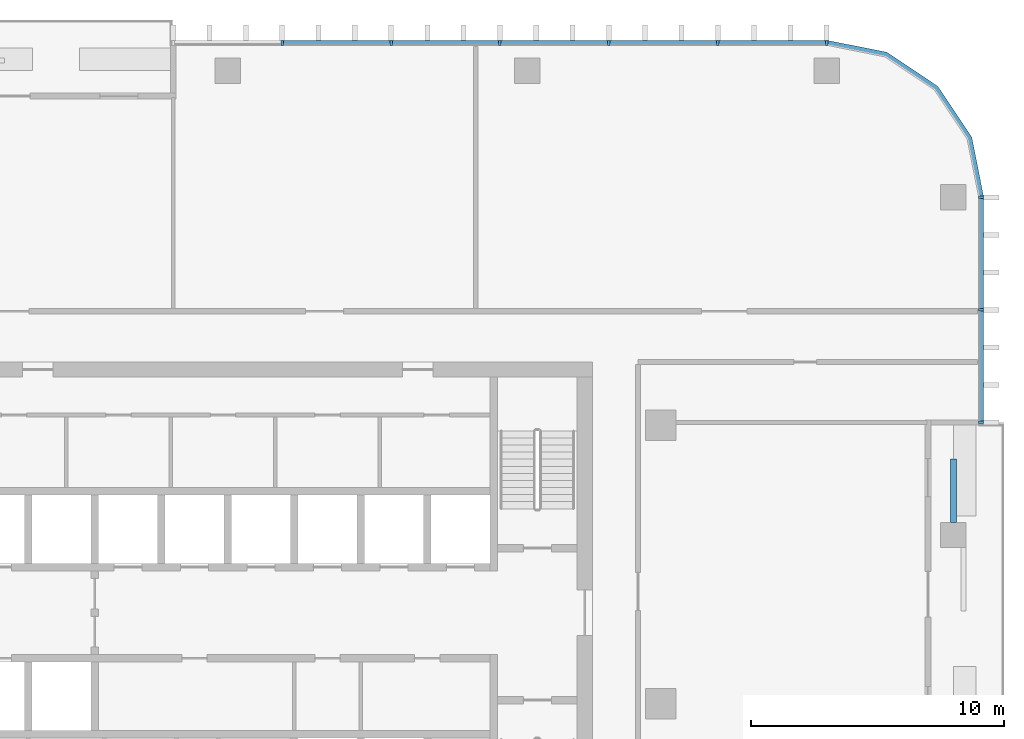
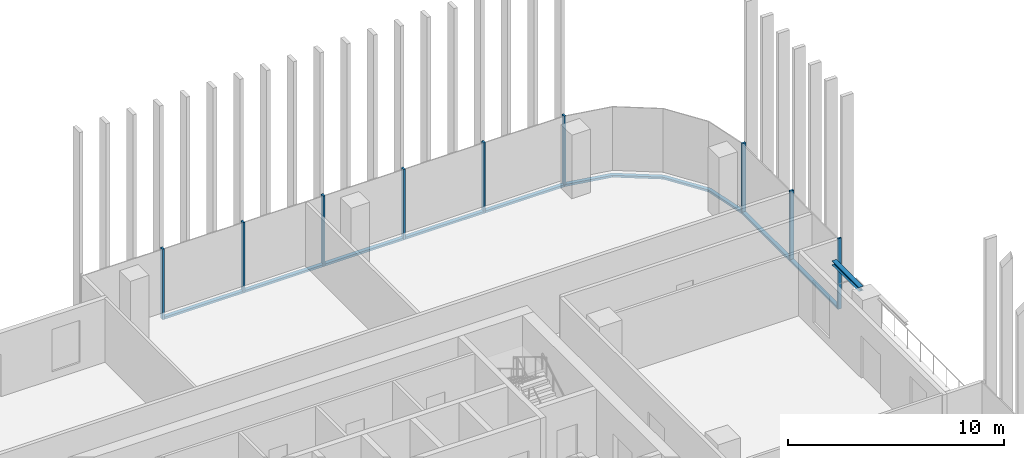
# One storey, part 5 of 16: 17 members, 1 beam, 3 elements without a shape of their own.
"""IFC4 building model written with IfcOpenShell, lengths in metres."""

from ifc_helpers import new_model, si_unit, direction, frame, origin, origin_2d, place, context, subcontext, project, spatial, polyline, rectangle, i_section, outline, extrude, material, material_profile, profile_set, type_object, element, aggregate, save


model = new_model("IFC4")

# Units and contexts
model_context = context("Model", 3, precision=1e-05, world=origin(), true_north=direction((0.0, 1.0)))
body_context = subcontext(model_context, "Body", "Model", "MODEL_VIEW")
ifc_project = project(units=[si_unit("LENGTHUNIT", "METRE"), si_unit("AREAUNIT", "SQUARE_METRE"), si_unit("VOLUMEUNIT", "CUBIC_METRE"), si_unit("PLANEANGLEUNIT", "RADIAN"), si_unit("MASSUNIT", "GRAM", prefix="KILO")], contexts=[model_context])

# Site, building, storey
site_placement = place(None, origin())
site = spatial("IfcSite", under=ifc_project, at=site_placement, CompositionType="ELEMENT")
building_placement = place(site_placement, origin())
building = spatial("IfcBuilding", under=site, at=building_placement, Name="Mopane Tessera Tower", CompositionType="ELEMENT")
storey_placement = place(building_placement, frame((0.0, 0.0, 291.39990234375)))
storey = spatial("IfcBuildingStorey", under=building, at=storey_placement, Name="L63", CompositionType="ELEMENT", Elevation=291.39990234375)

# Curtain wall, members
ifc_material_1 = material(Name="Aluminium frame", Category="aluminium")
curtain_wall_type = type_object("IfcCurtainWallType", Name="Unitised curtain wall", PredefinedType="NOTDEFINED", material=ifc_material_1)
curtain_wall_1_placement = place(storey_placement, origin())
curtain_wall_1 = element("IfcCurtainWall", 1, at=curtain_wall_1_placement, inside=storey, type_object=curtain_wall_type, Name="e:cw:L63:E:7", PredefinedType="NOTDEFINED")
ifc_material_2 = material(Name="Aluminium frame", Category="aluminium")
ifc_material_profile_1 = material_profile(ifc_material_2, rectangle(XDim=0.10009765625, YDim=0.199951171875, at=origin_2d()))
ifc_profile_set_1 = profile_set([ifc_material_profile_1], Name="Aluminium frame")
member_type_1 = type_object("IfcMemberType", Name="Aluminium mullion 100 x 200", PredefinedType="MULLION", material=ifc_profile_set_1)
member_1_placement = place(storey_placement, frame((29.75, 11.111083984375, -0.39990234375), z_axis=(0.0, 0.0, 1.0), x_axis=(0.0, 1.0, 0.0)))
member_1 = element("IfcMember", 2, at=member_1_placement, type_object=member_type_1, Name="e:cw:L63:E:7:mu7", PredefinedType="MULLION", context=body_context, shape_type="SweptSolid", body=[
    extrude(rectangle(XDim=0.10009765625, YDim=0.199951171875, at=origin_2d()), origin(), (0.0, 0.0, 1.0), 4.0),
])
member_2_placement = place(storey_placement, frame((29.75, 15.5556640625, -0.39990234375), z_axis=(0.0, 0.0, 1.0), x_axis=(0.0, 1.0, 0.0)))
member_2 = element("IfcMember", 3, at=member_2_placement, type_object=member_type_1, Name="e:cw:L63:E:7:mu8", PredefinedType="MULLION", context=body_context, shape_type="SweptSolid", body=[
    extrude(rectangle(XDim=0.10009765625, YDim=0.199951171875, at=origin_2d()), origin(), (0.0, 0.0, 1.0), 4.0),
])
member_3_placement = place(storey_placement, frame((29.75, 20.0, -0.39990234375), z_axis=(0.0, 0.0, 1.0), x_axis=(0.0, 1.0, 0.0)))
member_3 = element("IfcMember", 4, at=member_3_placement, type_object=member_type_1, Name="e:cw:L63:E:7:mu9", PredefinedType="MULLION", context=body_context, shape_type="SweptSolid", body=[
    extrude(rectangle(XDim=0.10009765625, YDim=0.199951171875, at=origin_2d()), origin(), (0.0, 0.0, 1.0), 4.0),
])

curtain_wall_2_placement = place(storey_placement, origin())
curtain_wall_2 = element("IfcCurtainWall", 5, at=curtain_wall_2_placement, inside=storey, type_object=curtain_wall_type, Name="e:cw:L63:N:0", PredefinedType="NOTDEFINED")
member_4_placement = place(storey_placement, frame((23.64990234375, 26.10009765625, -0.39990234375), z_axis=(0.0, 0.0, 1.0), x_axis=(-1.0, 0.0, 0.0)))
member_4 = element("IfcMember", 6, at=member_4_placement, type_object=member_type_1, Name="e:cw:L63:N:0:mu0", PredefinedType="MULLION", context=body_context, shape_type="SweptSolid", body=[
    extrude(rectangle(XDim=0.10009765625, YDim=0.199951171875, at=origin_2d()), origin(), (0.0, 0.0, 1.0), 4.0),
])
member_5_placement = place(storey_placement, frame((19.35009765625, 26.10009765625, -0.39990234375), z_axis=(0.0, 0.0, 1.0), x_axis=(-1.0, 0.0, 0.0)))
member_5 = element("IfcMember", 7, at=member_5_placement, type_object=member_type_1, Name="e:cw:L63:N:0:mu1", PredefinedType="MULLION", context=body_context, shape_type="SweptSolid", body=[
    extrude(rectangle(XDim=0.10009765625, YDim=0.199951171875, at=origin_2d()), origin(), (0.0, 0.0, 1.0), 4.0),
])
member_6_placement = place(storey_placement, frame((15.050048828125, 26.10009765625, -0.39990234375), z_axis=(0.0, 0.0, 1.0), x_axis=(-1.0, 0.0, 0.0)))
member_6 = element("IfcMember", 8, at=member_6_placement, type_object=member_type_1, Name="e:cw:L63:N:0:mu2", PredefinedType="MULLION", context=body_context, shape_type="SweptSolid", body=[
    extrude(rectangle(XDim=0.10009765625, YDim=0.199951171875, at=origin_2d()), origin(), (0.0, 0.0, 1.0), 4.0),
])
member_7_placement = place(storey_placement, frame((10.75, 26.10009765625, -0.39990234375), z_axis=(0.0, 0.0, 1.0), x_axis=(-1.0, 0.0, 0.0)))
member_7 = element("IfcMember", 9, at=member_7_placement, type_object=member_type_1, Name="e:cw:L63:N:0:mu3", PredefinedType="MULLION", context=body_context, shape_type="SweptSolid", body=[
    extrude(rectangle(XDim=0.10009765625, YDim=0.199951171875, at=origin_2d()), origin(), (0.0, 0.0, 1.0), 4.0),
])
member_8_placement = place(storey_placement, frame((6.449951171875, 26.10009765625, -0.39990234375), z_axis=(0.0, 0.0, 1.0), x_axis=(-1.0, 0.0, 0.0)))
member_8 = element("IfcMember", 10, at=member_8_placement, type_object=member_type_1, Name="e:cw:L63:N:0:mu4", PredefinedType="MULLION", context=body_context, shape_type="SweptSolid", body=[
    extrude(rectangle(XDim=0.10009765625, YDim=0.199951171875, at=origin_2d()), origin(), (0.0, 0.0, 1.0), 4.0),
])
member_9_placement = place(storey_placement, frame((2.14990234375, 26.10009765625, -0.39990234375), z_axis=(0.0, 0.0, 1.0), x_axis=(-1.0, 0.0, 0.0)))
member_9 = element("IfcMember", 11, at=member_9_placement, type_object=member_type_1, Name="e:cw:L63:N:0:mu5", PredefinedType="MULLION", context=body_context, shape_type="SweptSolid", body=[
    extrude(rectangle(XDim=0.10009765625, YDim=0.199951171875, at=origin_2d()), origin(), (0.0, 0.0, 1.0), 4.0),
])

# Member
ifc_material_3 = material(Name="Aluminium frame", Category="aluminium")
ifc_material_profile_2 = material_profile(ifc_material_3, rectangle(XDim=0.199951171875, YDim=0.1201171875, at=origin_2d()))
ifc_profile_set_2 = profile_set([ifc_material_profile_2], Name="Aluminium frame")
member_type_2 = type_object("IfcMemberType", Name="Aluminium transom 200 x 120", PredefinedType="USERDEFINED", material=ifc_profile_set_2)
member_10_placement = place(storey_placement, frame((29.75, 11.1611328125, -0.33984375), z_axis=(0.0, 1.0, 0.0), x_axis=(-1.0, 0.0, 0.0)))
member_10 = element("IfcMember", 12, at=member_10_placement, type_object=member_type_2, Name="e:cw:L63:E:7:tr7", ObjectType="TRANSOM", PredefinedType="USERDEFINED", context=body_context, shape_type="SweptSolid", body=[
    extrude(rectangle(XDim=0.199951171875, YDim=0.1201171875, at=origin_2d()), origin(), (0.0, 0.0, 1.0), 4.344482421875),
])

member_11_placement = place(storey_placement, frame((29.75, 15.60546875, -0.33984375), z_axis=(0.0, 1.0, 0.0), x_axis=(-1.0, 0.0, 0.0)))
member_11 = element("IfcMember", 13, at=member_11_placement, type_object=member_type_2, Name="e:cw:L63:E:7:tr8", ObjectType="TRANSOM", PredefinedType="USERDEFINED", context=body_context, shape_type="SweptSolid", body=[
    extrude(rectangle(XDim=0.199951171875, YDim=0.1201171875, at=origin_2d()), origin(), (0.0, 0.0, 1.0), 4.344482421875),
])

aggregate(curtain_wall_1, [member_1, member_2, member_3, member_10, member_11])

# Curtain wall, member
curtain_wall_3_placement = place(storey_placement, origin())
curtain_wall_3 = element("IfcCurtainWall", 14, at=curtain_wall_3_placement, inside=storey, type_object=curtain_wall_type, Name="e:cw:L63:CE", PredefinedType="NOTDEFINED")
member_12_placement = place(storey_placement, frame((0.0, 0.0, -0.39990234375)))
member_12 = element("IfcMember", 15, at=member_12_placement, type_object=member_type_2, Name="e:cw:L63:CE:tr", ObjectType="TRANSOM", PredefinedType="USERDEFINED", context=body_context, shape_type="SweptSolid", body=[
    extrude(outline(polyline([(29.64990234375, 20.0), (29.193359375, 22.296142578125), (27.892578125, 24.24267578125), (25.946044921875, 25.543212890625), (23.64990234375, 26.0), (23.64990234375, 26.199951171875), (26.022705078125, 25.72802734375), (28.0341796875, 24.384033203125), (29.378173828125, 22.37255859375), (29.85009765625, 20.0), (29.64990234375, 20.0)])), origin(), (0.0, 0.0, 1.0), 0.1201171875),
])
aggregate(curtain_wall_3, [member_12])

# Member
member_13_placement = place(storey_placement, frame((23.60009765625, 26.10009765625, -0.33984375), z_axis=(-1.0, 0.0, 0.0), x_axis=(0.0, -1.0, 0.0)))
member_13 = element("IfcMember", 16, at=member_13_placement, type_object=member_type_2, Name="e:cw:L63:N:0:tr0", ObjectType="TRANSOM", PredefinedType="USERDEFINED", context=body_context, shape_type="SweptSolid", body=[
    extrude(rectangle(XDim=0.199951171875, YDim=0.1201171875, at=origin_2d()), origin(), (0.0, 0.0, 1.0), 4.2001953125),
])

member_14_placement = place(storey_placement, frame((19.300048828125, 26.10009765625, -0.33984375), z_axis=(-1.0, 0.0, 0.0), x_axis=(0.0, -1.0, 0.0)))
member_14 = element("IfcMember", 17, at=member_14_placement, type_object=member_type_2, Name="e:cw:L63:N:0:tr1", ObjectType="TRANSOM", PredefinedType="USERDEFINED", context=body_context, shape_type="SweptSolid", body=[
    extrude(rectangle(XDim=0.199951171875, YDim=0.1201171875, at=origin_2d()), origin(), (0.0, 0.0, 1.0), 4.199951171875),
])

member_15_placement = place(storey_placement, frame((15.0, 26.10009765625, -0.33984375), z_axis=(-1.0, 0.0, 0.0), x_axis=(0.0, -1.0, 0.0)))
member_15 = element("IfcMember", 18, at=member_15_placement, type_object=member_type_2, Name="e:cw:L63:N:0:tr2", ObjectType="TRANSOM", PredefinedType="USERDEFINED", context=body_context, shape_type="SweptSolid", body=[
    extrude(rectangle(XDim=0.199951171875, YDim=0.1201171875, at=origin_2d()), origin(), (0.0, 0.0, 1.0), 4.199951171875),
])

member_16_placement = place(storey_placement, frame((10.699951171875, 26.10009765625, -0.33984375), z_axis=(-1.0, 0.0, 0.0), x_axis=(0.0, -1.0, 0.0)))
member_16 = element("IfcMember", 19, at=member_16_placement, type_object=member_type_2, Name="e:cw:L63:N:0:tr3", ObjectType="TRANSOM", PredefinedType="USERDEFINED", context=body_context, shape_type="SweptSolid", body=[
    extrude(rectangle(XDim=0.199951171875, YDim=0.1201171875, at=origin_2d()), origin(), (0.0, 0.0, 1.0), 4.199951171875),
])

member_17_placement = place(storey_placement, frame((6.39990234375, 26.10009765625, -0.33984375), z_axis=(-1.0, 0.0, 0.0), x_axis=(0.0, -1.0, 0.0)))
member_17 = element("IfcMember", 20, at=member_17_placement, type_object=member_type_2, Name="e:cw:L63:N:0:tr4", ObjectType="TRANSOM", PredefinedType="USERDEFINED", context=body_context, shape_type="SweptSolid", body=[
    extrude(rectangle(XDim=0.199951171875, YDim=0.1201171875, at=origin_2d()), origin(), (0.0, 0.0, 1.0), 4.199951171875),
])

aggregate(curtain_wall_2, [member_4, member_5, member_6, member_7, member_8, member_9, member_13, member_14, member_15, member_16, member_17])

# Beam
ifc_material_4 = material(Name="Structural steel S460", Category="steel")
ifc_material_profile_3 = material_profile(ifc_material_4, i_section(OverallWidth=0.239990234375, OverallDepth=0.239990234375, WebThickness=0.010009765625, FlangeThickness=0.01708984375, FilletRadius=0.02099609375, at=origin_2d()))
ifc_profile_set_3 = profile_set([ifc_material_profile_3], Name="Structural steel S460")
beam_type = type_object("IfcBeamType", Name="Terrace spandrel beam HE 240 B", PredefinedType="SPANDREL", material=ifc_profile_set_3)
beam_placement = place(storey_placement, frame((28.64990234375, 7.169677734375, 3.47998046875), z_axis=(0.0, 1.0, 0.0), x_axis=(-1.0, 0.0, 0.0)))
element("IfcBeam", 21, at=beam_placement, inside=storey, type_object=beam_type, Name="Terrace spandrel beam N1 L64", PredefinedType="SPANDREL", context=body_context, shape_type="SweptSolid", body=[
    extrude(i_section(OverallWidth=0.239990234375, OverallDepth=0.239990234375, WebThickness=0.010009765625, FlangeThickness=0.01708984375, FilletRadius=0.02099609375, at=origin_2d()), origin(), (0.0, 0.0, 1.0), 2.5),
])

save(model, "model.ifc")
